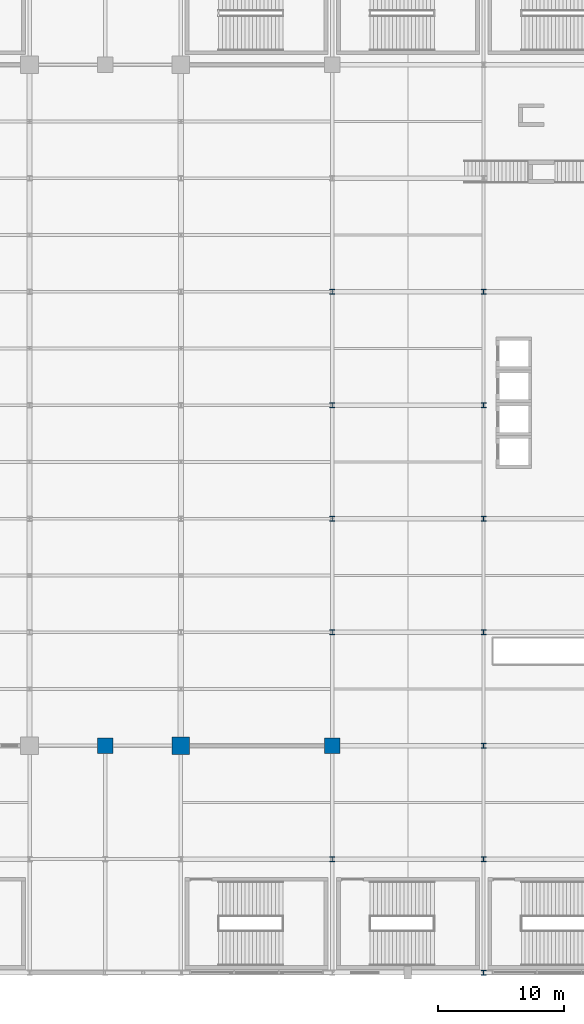
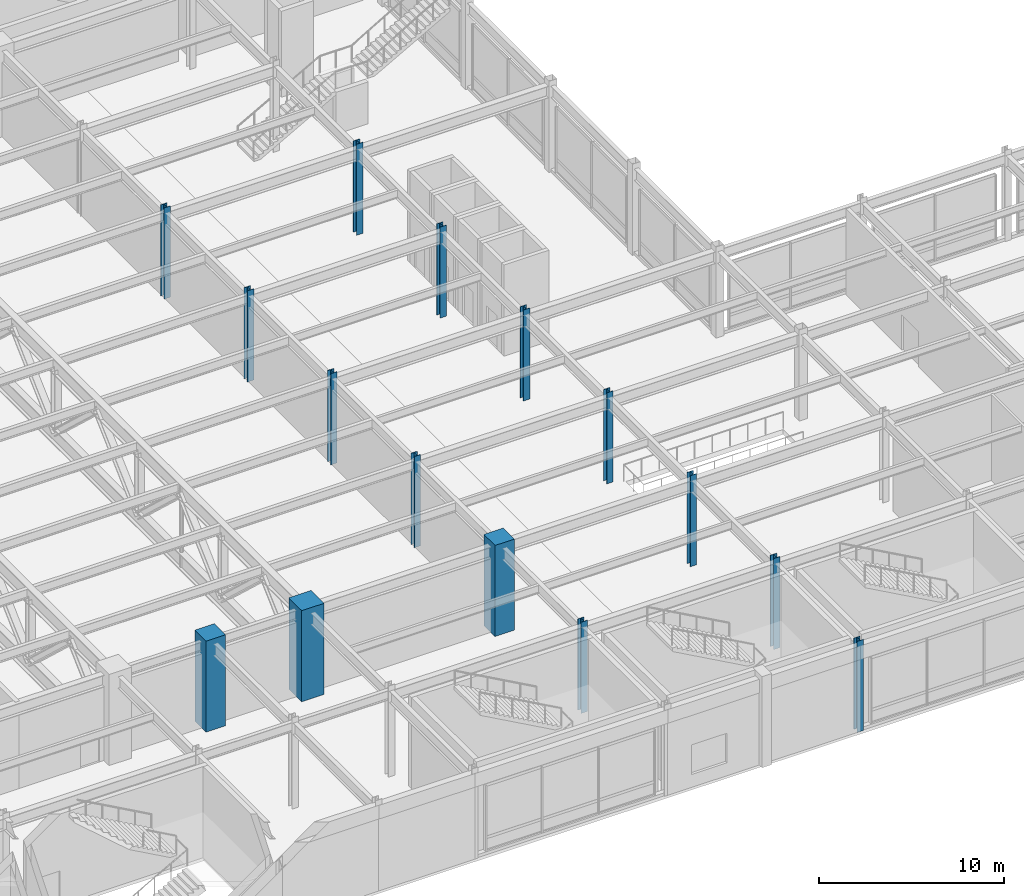
# One storey, part 5 of 108: 15 columns.
"""IFC4 building model written with IfcOpenShell, lengths in metres."""

from ifc_helpers import new_model, si_unit, direction, frame, origin, origin_2d, place, context, subcontext, project, spatial, rectangle, i_section, extrude, material, material_profile, profile_set, type_object, element, save


model = new_model("IFC4")

# Units and contexts
model_context = context("Model", 3, precision=1e-05, world=origin(), true_north=direction((0.0, 1.0)))
body_context = subcontext(model_context, "Body", "Model", "MODEL_VIEW")
ifc_project = project(units=[si_unit("LENGTHUNIT", "METRE"), si_unit("AREAUNIT", "SQUARE_METRE"), si_unit("VOLUMEUNIT", "CUBIC_METRE"), si_unit("PLANEANGLEUNIT", "RADIAN"), si_unit("MASSUNIT", "GRAM", prefix="KILO")], contexts=[model_context])

# Site, building, storey
site_placement = place(None, origin())
site = spatial("IfcSite", under=ifc_project, at=site_placement, CompositionType="ELEMENT")
building_placement = place(site_placement, origin())
building = spatial("IfcBuilding", under=site, at=building_placement, Name="Kaldorvane Square Convention Centre", CompositionType="ELEMENT")
storey_placement = place(building_placement, frame((0.0, 0.0, 12.0)))
storey = spatial("IfcBuildingStorey", under=building, at=storey_placement, Name="L02", CompositionType="ELEMENT", Elevation=12.0)

# Columns
ifc_material_1 = material(Name="Concrete f'c = 55 MPa (Normalweight)", Category="concrete")
ifc_material_profile_1 = material_profile(ifc_material_1, rectangle(XDim=1.1999969482421875, YDim=1.1999969482421875, at=origin_2d()), Name="RC1200X1200")
ifc_profile_set_1 = profile_set([ifc_material_profile_1], Name="Concrete f'c = 55 MPa (Normalweight)")
column_type_1 = type_object("IfcColumnType", Name="COL-MEGA-1200", PredefinedType="COLUMN", material=ifc_profile_set_1)
for number, where, z_axis, x_axis, name in (
    (1, (96.0, 18.0, 0.0), (0.0, 0.0, 1.0), (1.0, 0.0, 0.0), "Column MC-02 (L02)"),
    (2, (114.0, 18.0, 0.0), (0.0, 0.0, 1.0), (1.0, 0.0, 0.0), "Column MC-02 (L02)"),
):
    element("IfcColumn", number, at=place(storey_placement, frame(where, z_axis=z_axis, x_axis=x_axis)), inside=storey, type_object=column_type_1, Name=name, PredefinedType="COLUMN", context=body_context, shape_type="SweptSolid", body=[
        extrude(rectangle(XDim=1.1999969482421875, YDim=1.1999969482421875, at=origin_2d()), origin(), (0.0, 0.0, 1.0), 6.0),
    ])
ifc_material_profile_2 = material_profile(ifc_material_1, rectangle(XDim=1.399993896484375, YDim=1.399993896484375, at=origin_2d()), Name="RC1400X1400")
ifc_profile_set_2 = profile_set([ifc_material_profile_2], Name="Concrete f'c = 55 MPa (Normalweight)")
column_type_2 = type_object("IfcColumnType", Name="COL-MEGA-1400", PredefinedType="COLUMN", material=ifc_profile_set_2)
column_placement = place(storey_placement, frame((102.0, 18.0, 0.0), z_axis=(0.0, 0.0, 1.0), x_axis=(1.0, 0.0, 0.0)))
element("IfcColumn", 3, at=column_placement, inside=storey, type_object=column_type_2, Name="Column MC-01 (L02)", PredefinedType="COLUMN", context=body_context, shape_type="SweptSolid", body=[
    extrude(rectangle(XDim=1.399993896484375, YDim=1.399993896484375, at=origin_2d()), origin(), (0.0, 0.0, 1.0), 6.0),
])
ifc_material_2 = material(Name="Steel ASTM A992 Gr. 50", Category="steel")
ifc_material_profile_3 = material_profile(ifc_material_2, i_section(OverallWidth=0.393707275390625, OverallDepth=0.375396728515625, WebThickness=0.017303466796875, FlangeThickness=0.0276947021484375, FilletRadius=0.0305023193359375, at=origin_2d()), Name="W14X145")
ifc_profile_set_3 = profile_set([ifc_material_profile_3], Name="Steel ASTM A992 Gr. 50")
column_type_3 = type_object("IfcColumnType", Name="COL-STL-145", PredefinedType="COLUMN", material=ifc_profile_set_3)
for number, where, z_axis, x_axis, name in (
    (4, (114.0, 9.0, 0.0), (0.0, 0.0, 1.0), (1.0, 0.0, 0.0), "Column SC-10 (L02)"),
    (5, (114.0, 27.0, 0.0), (0.0, 0.0, 1.0), (1.0, 0.0, 0.0), "Column SC-10 (L02)"),
    (6, (114.0, 36.0, 0.0), (0.0, 0.0, 1.0), (1.0, 0.0, 0.0), "Column SC-10 (L02)"),
    (7, (114.0, 45.0, 0.0), (0.0, 0.0, 1.0), (1.0, 0.0, 0.0), "Column SC-10 (L02)"),
    (8, (114.0, 54.0, 0.0), (0.0, 0.0, 1.0), (1.0, 0.0, 0.0), "Column SC-10 (L02)"),
    (9, (126.0, 0.0, 0.0), (0.0, 0.0, 1.0), (1.0, 0.0, 0.0), "Column SC-10 (L02)"),
    (10, (126.0, 9.0, 0.0), (0.0, 0.0, 1.0), (1.0, 0.0, 0.0), "Column SC-10 (L02)"),
    (11, (126.0, 18.0, 0.0), (0.0, 0.0, 1.0), (1.0, 0.0, 0.0), "Column SC-10 (L02)"),
    (12, (126.0, 27.0, 0.0), (0.0, 0.0, 1.0), (1.0, 0.0, 0.0), "Column SC-10 (L02)"),
    (13, (126.0, 36.0, 0.0), (0.0, 0.0, 1.0), (1.0, 0.0, 0.0), "Column SC-10 (L02)"),
    (14, (126.0, 45.0, 0.0), (0.0, 0.0, 1.0), (1.0, 0.0, 0.0), "Column SC-10 (L02)"),
    (15, (126.0, 54.0, 0.0), (0.0, 0.0, 1.0), (1.0, 0.0, 0.0), "Column SC-10 (L02)"),
):
    element("IfcColumn", number, at=place(storey_placement, frame(where, z_axis=z_axis, x_axis=x_axis)), inside=storey, type_object=column_type_3, Name=name, PredefinedType="COLUMN", context=body_context, shape_type="SweptSolid", body=[
        extrude(i_section(OverallWidth=0.393707275390625, OverallDepth=0.375396728515625, WebThickness=0.017303466796875, FlangeThickness=0.0276947021484375, FilletRadius=0.0305023193359375, at=origin_2d()), origin(), (0.0, 0.0, 1.0), 6.0),
    ])

save(model, "model.ifc")
